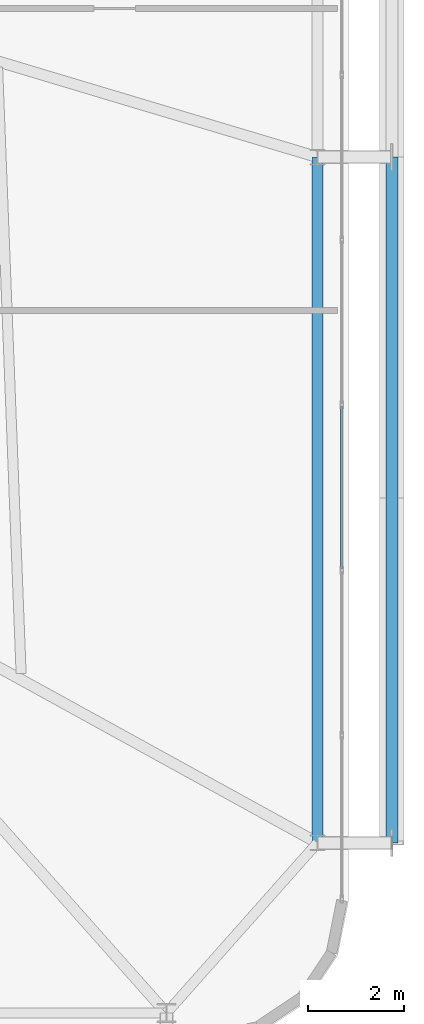
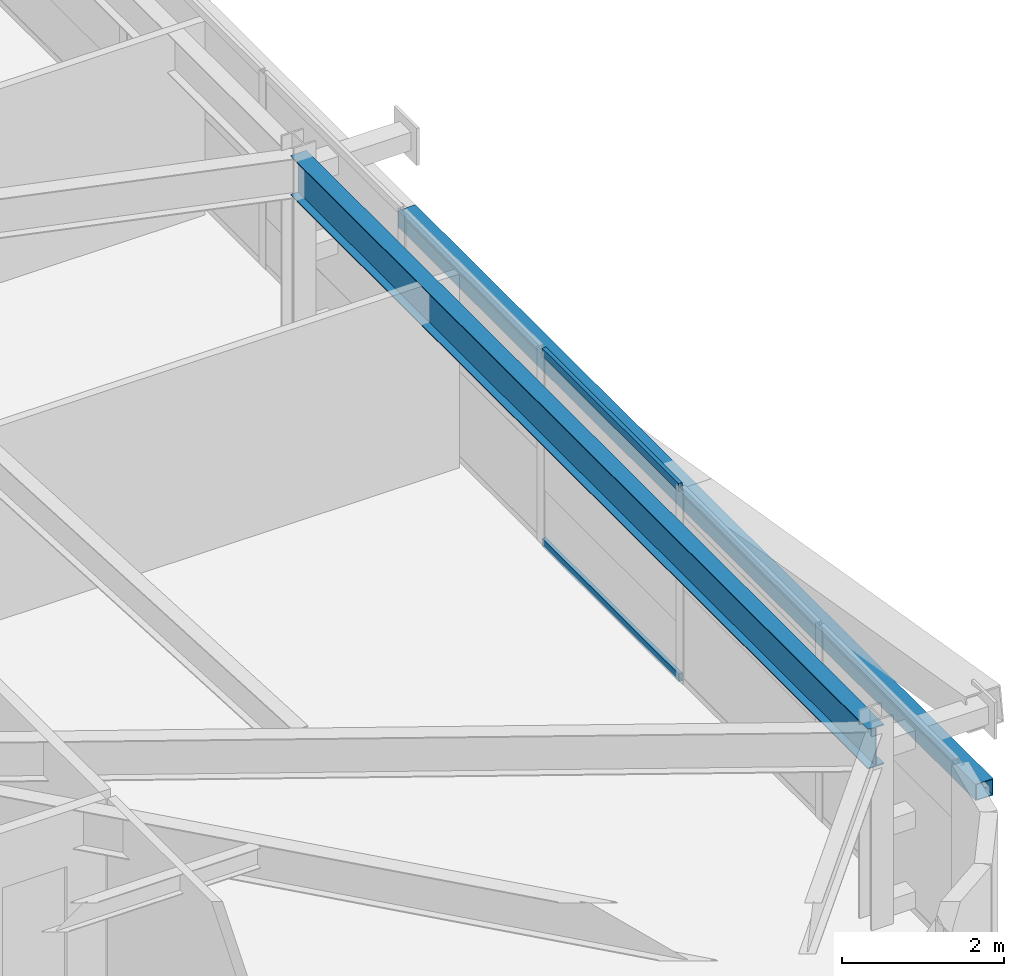
# One storey, part 27 of 59: 3 members, 1 beam, 1 element without a shape of its own.
"""IFC4 building model written with IfcOpenShell, lengths in metres."""

from ifc_helpers import new_model, si_unit, direction, frame, origin, origin_2d, place, context, subcontext, project, spatial, hollow_rectangle, i_section, extrude, source, transform, mapped, material, layer, layer_set, material_profile, profile_set, type_object, element, aggregate, save


model = new_model("IFC4")

# Units and contexts
model_context = context("Model", 3, precision=1e-05, world=origin(), true_north=direction((0.0, 1.0)))
body_context = subcontext(model_context, "Body", "Model", "MODEL_VIEW")
ifc_project = project(units=[si_unit("LENGTHUNIT", "METRE"), si_unit("AREAUNIT", "SQUARE_METRE"), si_unit("VOLUMEUNIT", "CUBIC_METRE"), si_unit("PLANEANGLEUNIT", "RADIAN"), si_unit("MASSUNIT", "GRAM", prefix="KILO")], contexts=[model_context])

# Site, building, storey
site_placement = place(None, origin())
site = spatial("IfcSite", under=ifc_project, at=site_placement, CompositionType="ELEMENT")
building_placement = place(site_placement, origin())
building = spatial("IfcBuilding", under=site, at=building_placement, Name="Taldren Reach Tower", CompositionType="ELEMENT")
storey_placement = place(building_placement, frame((0.0, 0.0, 45.14990234375)))
storey = spatial("IfcBuildingStorey", under=building, at=storey_placement, Name="L13", CompositionType="ELEMENT", Elevation=45.14990234375)

# Beam
ifc_material_1 = material(Name="Steel Gr 350 (350PLUS)", Category="steel")
ifc_material_profile_1 = material_profile(ifc_material_1, i_section(OverallWidth=0.22802734375, OverallDepth=0.60205078125, WebThickness=0.010498046875, FlangeThickness=0.014892578125, at=origin_2d()), Name="610UB101")
ifc_profile_set_1 = profile_set([ifc_material_profile_1], Name="Steel Gr 350 (350PLUS)")
beam_type = type_object("IfcBeamType", Name="BM-UB610B", PredefinedType="BEAM", material=ifc_profile_set_1)
shared_shape_1 = source(origin(), body_context, "Body", "SweptSolid", [
    extrude(i_section(OverallWidth=0.22802734375, OverallDepth=0.60205078125, WebThickness=0.010498046875, FlangeThickness=0.014892578125, at=origin_2d()), origin(), (0.0, 0.0, 1.0), 14.300048828125),
])
beam_placement = place(storey_placement, frame((64.35009765625, 5.699951171875, 2.629150390625), z_axis=(0.0, 1.0, 0.0), x_axis=(-1.0, 0.0, 0.0)))
element("IfcBeam", 1, at=beam_placement, inside=storey, type_object=beam_type, Name="Perimeter gable girder B1 E1-E2 L13", PredefinedType="BEAM", context=body_context, shape_type="MappedRepresentation", body=[
    mapped(shared_shape_1, transform((0.0, 0.0, 0.0), scale=1.0)),
])

# Member
ifc_material_2 = material(Name="Steel Gr 350 (C350L0)", Category="steel")
ifc_material_profile_2 = material_profile(ifc_material_2, hollow_rectangle(XDim=0.25, YDim=0.25, WallThickness=0.010009765625, at=origin_2d()), Name="250x250x10.0SHS")
ifc_profile_set_2 = profile_set([ifc_material_profile_2], Name="Steel Gr 350 (C350L0)")
member_type_1 = type_object("IfcMemberType", Name="MB-POST250", PredefinedType="POST", material=ifc_profile_set_2)
shared_shape_2 = source(origin(), body_context, "Body", "SweptSolid", [
    extrude(hollow_rectangle(XDim=0.25, YDim=0.25, WallThickness=0.010009765625, at=origin_2d()), origin(), (0.0, 0.0, 1.0), 14.300048828125),
])
member_1_placement = place(storey_placement, frame((65.89990234375, 5.699951171875, 1.43505859375), z_axis=(0.0, 1.0, 0.0), x_axis=(-1.0, 0.0, 0.0)))
element("IfcMember", 2, at=member_1_placement, inside=storey, type_object=member_type_1, Name="Exoskeleton mid-height ring chord B1-E1 L13", PredefinedType="POST", context=body_context, shape_type="MappedRepresentation", body=[
    mapped(shared_shape_2, transform((0.0, 0.0, 0.0), scale=1.0)),
])

# Curtain wall, members
ifc_material_3 = material(Name="Aluminium and Low-E Glass Unitised System", Category="aluminium")
ifc_layer = layer(ifc_material_3, 0.159912109375)
ifc_layer_set = layer_set([ifc_layer], Name="Aluminium and Low-E Glass Unitised System")
curtain_wall_type = type_object("IfcCurtainWallType", Name="CW-SYS-2", PredefinedType="NOTDEFINED", material=ifc_layer_set)
curtain_wall_placement = place(storey_placement, origin())
curtain_wall = element("IfcCurtainWall", 3, at=curtain_wall_placement, inside=storey, type_object=curtain_wall_type, Name="Unitised curtain wall CW-L13-E", PredefinedType="NOTDEFINED")
ifc_material_4 = material(Name="Anodised Aluminium 6063-T6", Category="aluminium")
ifc_material_profile_3 = material_profile(ifc_material_4, hollow_rectangle(XDim=0.054931640625, YDim=0.1201171875, WallThickness=0.0029296875, at=origin_2d()), Name="ALU-120x55x3RHS")
ifc_profile_set_3 = profile_set([ifc_material_profile_3], Name="Anodised Aluminium 6063-T6")
member_type_2 = type_object("IfcMemberType", Name="CW-TRN-135", PredefinedType="USERDEFINED", material=ifc_profile_set_3)
shared_shape_3 = source(origin(), body_context, "Body", "SweptSolid", [
    extrude(hollow_rectangle(XDim=0.054931640625, YDim=0.1201171875, WallThickness=0.0029296875, at=origin_2d()), origin(), (0.0, 0.0, 1.0), 3.37939453125),
])
member_2_placement = place(storey_placement, frame((64.860107421875, 11.42138671875, 0.027587890625), z_axis=(0.0, 1.0, 0.0), x_axis=(-1.0, 0.0, 0.0)))
member_2 = element("IfcMember", 4, at=member_2_placement, type_object=member_type_2, Name="CW-2 transom 3.1", ObjectType="TRANSOM", PredefinedType="USERDEFINED", context=body_context, shape_type="MappedRepresentation", body=[
    mapped(shared_shape_3, transform((0.0, 0.0, 0.0), scale=1.0)),
])
member_3_placement = place(storey_placement, frame((64.860107421875, 11.42138671875, 2.902587890625), z_axis=(0.0, 1.0, 0.0), x_axis=(-1.0, 0.0, 0.0)))
member_3 = element("IfcMember", 5, at=member_3_placement, type_object=member_type_2, Name="CW-2 transom 3.2", ObjectType="TRANSOM", PredefinedType="USERDEFINED", context=body_context, shape_type="MappedRepresentation", body=[
    mapped(shared_shape_3, transform((0.0, 0.0, 0.0), scale=1.0)),
])
aggregate(curtain_wall, [member_2, member_3])

save(model, "model.ifc")
